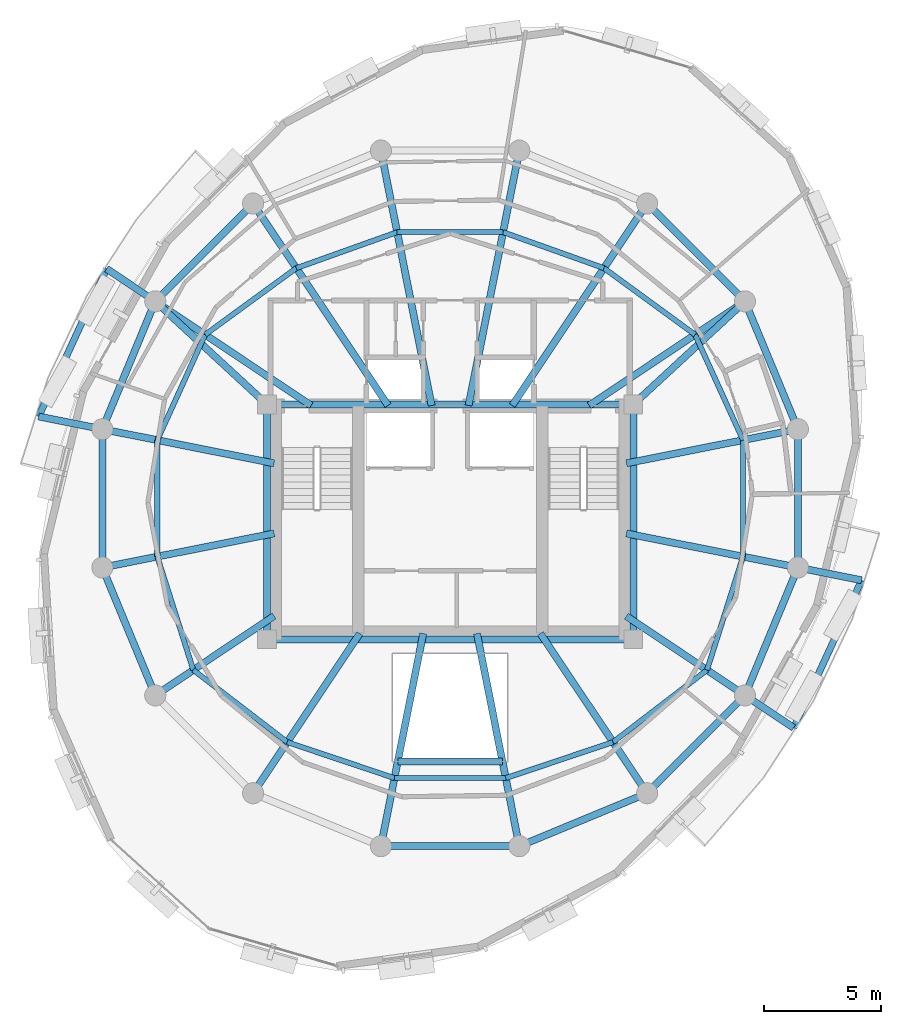
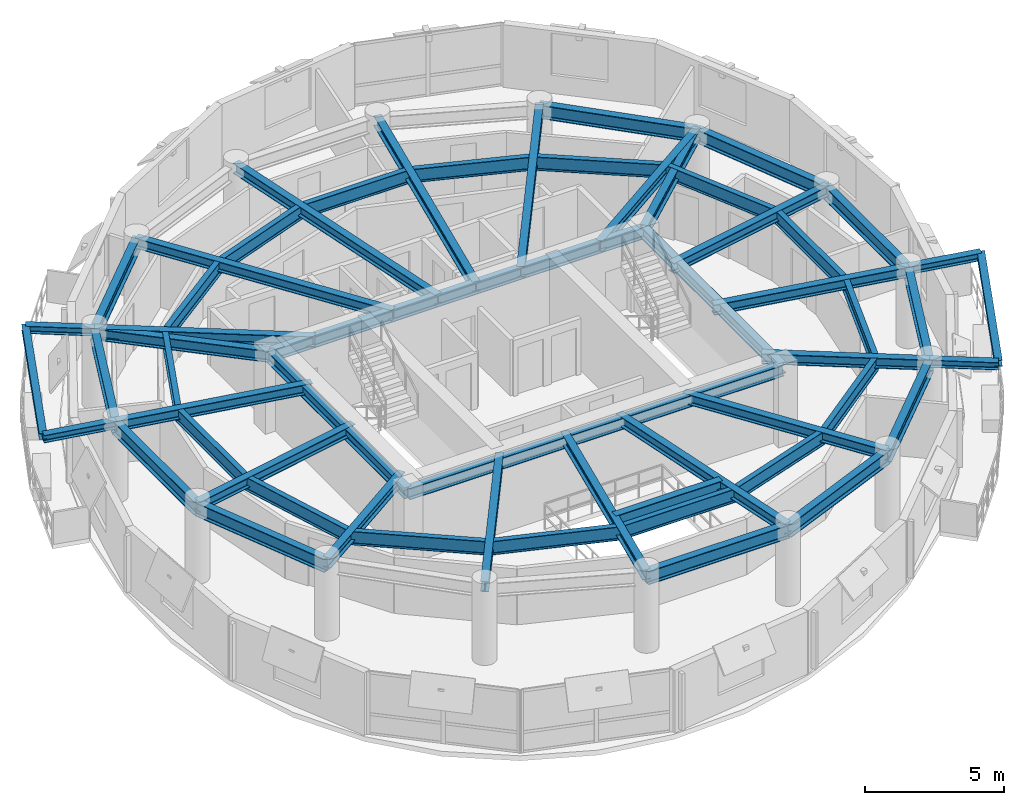
# One storey, part 3 of 11: 56 beams.
"""IFC4 building model written with IfcOpenShell, lengths in metres."""

from ifc_helpers import new_model, si_unit, direction, frame, origin, origin_2d, place, context, subcontext, project, spatial, i_section, extrude, material, material_profile, profile_set, type_object, element, save


model = new_model("IFC4")

# Units and contexts
model_context = context("Model", 3, precision=1e-05, world=origin(), true_north=direction((0.0, 1.0)))
body_context = subcontext(model_context, "Body", "Model", "MODEL_VIEW")
ifc_project = project(units=[si_unit("LENGTHUNIT", "METRE"), si_unit("AREAUNIT", "SQUARE_METRE"), si_unit("VOLUMEUNIT", "CUBIC_METRE"), si_unit("PLANEANGLEUNIT", "RADIAN"), si_unit("MASSUNIT", "GRAM", prefix="KILO"), si_unit("THERMODYNAMICTEMPERATUREUNIT", "KELVIN"), si_unit("POWERUNIT", "WATT")], contexts=[model_context])

# Site, building, storey
site_placement = place(None, origin())
site = spatial("IfcSite", under=ifc_project, at=site_placement, CompositionType="ELEMENT")
building_placement = place(site_placement, origin())
building = spatial("IfcBuilding", under=site, at=building_placement, Name="Ocrelia Relay Tower", CompositionType="ELEMENT")
storey_placement = place(building_placement, frame((0.0, 0.0, 280.800048828125)))
storey = spatial("IfcBuildingStorey", under=building, at=storey_placement, Name="L70", CompositionType="ELEMENT", Elevation=280.800048828125)

# Beams
ifc_material = material(Name="Steel S355", Category="steel")
ifc_material_profile_1 = material_profile(ifc_material, i_section(OverallWidth=0.280029296875, OverallDepth=0.27001953125, WebThickness=0.008056640625, FlangeThickness=0.012939453125, FilletRadius=0.02392578125, at=origin_2d()), Name="HEA 280")
ifc_profile_set_1 = profile_set([ifc_material_profile_1], Name="Steel S355")
beam_type_1 = type_object("IfcBeamType", Name="BM-HEA280", PredefinedType="BEAM", material=ifc_profile_set_1)
for number, where, z_axis, x_axis, name in (
    (1, (19.3740234375, 35.772705078125, 3.244873046875), (-0.418143143553, -0.908381148803, 0.0), (0.908381148803, -0.418143143553, 0.0), "L71 Balcony Edge Trimmer Beam B1"),
    (2, (48.6259765625, 16.227294921875, 3.244873046875), (0.418143143553, 0.908381148803, 0.0), (-0.908381148803, 0.418143143553, 0.0), "L71 Balcony Edge Trimmer Beam B2"),
):
    element("IfcBeam", number, at=place(storey_placement, frame(where, z_axis=z_axis, x_axis=x_axis)), inside=storey, type_object=beam_type_1, Name=name, PredefinedType="BEAM", context=body_context, shape_type="SweptSolid", body=[
        extrude(i_section(OverallWidth=0.280029296875, OverallDepth=0.27001953125, WebThickness=0.008056640625, FlangeThickness=0.012939453125, FilletRadius=0.02392578125, at=origin_2d()), origin(), (0.0, 0.0, 1.0), 6.921875),
    ])
ifc_material_profile_2 = material_profile(ifc_material, i_section(OverallWidth=0.300048828125, OverallDepth=0.330078125, WebThickness=0.009521484375, FlangeThickness=0.0166015625, FilletRadius=0.027099609375, at=origin_2d()), Name="HEA 340")
ifc_profile_set_2 = profile_set([ifc_material_profile_2], Name="Steel S355")
beam_type_2 = type_object("IfcBeamType", Name="BM-HEA340", PredefinedType="BEAM", material=ifc_profile_set_2)
beam_1_placement = place(storey_placement, frame((21.44482421875, 34.38916015625, 3.21484375), z_axis=(-0.831491855462, 0.555536942337, 0.0), x_axis=(-0.555536942337, -0.831491855462, 0.0)))
element("IfcBeam", 3, at=beam_1_placement, inside=storey, type_object=beam_type_2, Name="L71 Balcony Cantilever Beam B1-1", PredefinedType="BEAM", context=body_context, shape_type="SweptSolid", body=[
    extrude(i_section(OverallWidth=0.300048828125, OverallDepth=0.330078125, WebThickness=0.009521484375, FlangeThickness=0.0166015625, FilletRadius=0.027099609375, at=origin_2d()), origin(), (0.0, 0.0, 1.0), 2.490478515625),
])
beam_2_placement = place(storey_placement, frame((19.190185546875, 28.94580078125, 3.21484375), z_axis=(-0.980773870581, 0.195147674303, 0.0), x_axis=(-0.195147674303, -0.980773870581, 0.0)))
element("IfcBeam", 4, at=beam_2_placement, inside=storey, type_object=beam_type_2, Name="L71 Balcony Cantilever Beam B1-2", PredefinedType="BEAM", context=body_context, shape_type="SweptSolid", body=[
    extrude(i_section(OverallWidth=0.300048828125, OverallDepth=0.330078125, WebThickness=0.009521484375, FlangeThickness=0.0166015625, FilletRadius=0.027099609375, at=origin_2d()), origin(), (0.0, 0.0, 1.0), 2.763671875),
])
beam_3_placement = place(storey_placement, frame((46.55517578125, 17.61083984375, 3.21484375), z_axis=(0.831491855462, -0.555536942337, 0.0), x_axis=(0.555536942337, 0.831491855462, 0.0)))
element("IfcBeam", 5, at=beam_3_placement, inside=storey, type_object=beam_type_2, Name="L71 Balcony Cantilever Beam B2-1", PredefinedType="BEAM", context=body_context, shape_type="SweptSolid", body=[
    extrude(i_section(OverallWidth=0.300048828125, OverallDepth=0.330078125, WebThickness=0.009521484375, FlangeThickness=0.0166015625, FilletRadius=0.027099609375, at=origin_2d()), origin(), (0.0, 0.0, 1.0), 2.490478515625),
])
beam_4_placement = place(storey_placement, frame((48.809814453125, 23.05419921875, 3.21484375), z_axis=(0.980773870581, -0.195147674303, 0.0), x_axis=(0.195147674303, 0.980773870581, 0.0)))
element("IfcBeam", 6, at=beam_4_placement, inside=storey, type_object=beam_type_2, Name="L71 Balcony Cantilever Beam B2-2", PredefinedType="BEAM", context=body_context, shape_type="SweptSolid", body=[
    extrude(i_section(OverallWidth=0.300048828125, OverallDepth=0.330078125, WebThickness=0.009521484375, FlangeThickness=0.0166015625, FilletRadius=0.027099609375, at=origin_2d()), origin(), (0.0, 0.0, 1.0), 2.763671875),
])
ifc_material_profile_3 = material_profile(ifc_material, i_section(OverallWidth=0.300048828125, OverallDepth=0.449951171875, WebThickness=0.013916015625, FlangeThickness=0.02587890625, FilletRadius=0.027099609375, at=origin_2d()), Name="HEB 450")
ifc_profile_set_3 = profile_set([ifc_material_profile_3], Name="Steel S355")
beam_type_3 = type_object("IfcBeamType", Name="BM-HEB450", PredefinedType="BEAM", material=ifc_profile_set_3)
beam_5_placement = place(storey_placement, frame((48.809814453125, 28.94580078125, 3.155029296875), z_axis=(-0.980789400571, -0.195069607393, 0.0), x_axis=(0.195069607393, -0.980789400571, 0.0)))
element("IfcBeam", 7, at=beam_5_placement, inside=storey, type_object=beam_type_3, Name="L70 Radial Floor Girder R01", PredefinedType="BEAM", context=body_context, shape_type="SweptSolid", body=[
    extrude(i_section(OverallWidth=0.300048828125, OverallDepth=0.449951171875, WebThickness=0.013916015625, FlangeThickness=0.02587890625, FilletRadius=0.027099609375, at=origin_2d()), origin(), (0.0, 0.0, 1.0), 7.447998046875),
])
beam_6_placement = place(storey_placement, frame((46.55517578125, 34.38916015625, 3.155029296875), z_axis=(-0.83146627118, -0.555575233331, 0.0), x_axis=(0.555575233331, -0.83146627118, 0.0)))
element("IfcBeam", 8, at=beam_6_placement, inside=storey, type_object=beam_type_3, Name="L70 Radial Floor Girder R02", PredefinedType="BEAM", context=body_context, shape_type="SweptSolid", body=[
    extrude(i_section(OverallWidth=0.300048828125, OverallDepth=0.449951171875, WebThickness=0.013916015625, FlangeThickness=0.02587890625, FilletRadius=0.027099609375, at=origin_2d()), origin(), (0.0, 0.0, 1.0), 7.98095703125),
])
beam_7_placement = place(storey_placement, frame((42.38916015625, 38.55517578125, 3.155029296875), z_axis=(-0.555582296999, -0.831461551283, 0.0), x_axis=(0.831461551283, -0.555582296999, 0.0)))
element("IfcBeam", 9, at=beam_7_placement, inside=storey, type_object=beam_type_3, Name="L70 Radial Floor Girder R03", PredefinedType="BEAM", context=body_context, shape_type="SweptSolid", body=[
    extrude(i_section(OverallWidth=0.300048828125, OverallDepth=0.449951171875, WebThickness=0.013916015625, FlangeThickness=0.02587890625, FilletRadius=0.027099609375, at=origin_2d()), origin(), (0.0, 0.0, 1.0), 10.34326171875),
])
for number, where, z_axis, x_axis, name in (
    (10, (36.94580078125, 40.809814453125, 3.155029296875), (-0.195093658495, -0.98078461673, 0.0), (0.98078461673, -0.195093658495, 0.0), "L70 Radial Floor Girder R04"),
    (11, (31.05419921875, 40.809814453125, 3.155029296875), (0.195093658495, -0.98078461673, 0.0), (0.98078461673, 0.195093658495, 0.0), "L70 Radial Floor Girder R05"),
):
    element("IfcBeam", number, at=place(storey_placement, frame(where, z_axis=z_axis, x_axis=x_axis)), inside=storey, type_object=beam_type_3, Name=name, PredefinedType="BEAM", context=body_context, shape_type="SweptSolid", body=[
        extrude(i_section(OverallWidth=0.300048828125, OverallDepth=0.449951171875, WebThickness=0.013916015625, FlangeThickness=0.02587890625, FilletRadius=0.027099609375, at=origin_2d()), origin(), (0.0, 0.0, 1.0), 11.0673828125),
    ])
beam_8_placement = place(storey_placement, frame((25.61083984375, 38.55517578125, 3.155029296875), z_axis=(0.555582296999, -0.831461551283, 0.0), x_axis=(0.831461551283, 0.555582296999, 0.0)))
element("IfcBeam", 12, at=beam_8_placement, inside=storey, type_object=beam_type_3, Name="L70 Radial Floor Girder R06", PredefinedType="BEAM", context=body_context, shape_type="SweptSolid", body=[
    extrude(i_section(OverallWidth=0.300048828125, OverallDepth=0.449951171875, WebThickness=0.013916015625, FlangeThickness=0.02587890625, FilletRadius=0.027099609375, at=origin_2d()), origin(), (0.0, 0.0, 1.0), 10.34326171875),
])
beam_9_placement = place(storey_placement, frame((21.44482421875, 34.38916015625, 3.155029296875), z_axis=(0.83146627118, -0.555575233331, 0.0), x_axis=(0.555575233331, 0.83146627118, 0.0)))
element("IfcBeam", 13, at=beam_9_placement, inside=storey, type_object=beam_type_3, Name="L70 Radial Floor Girder R07", PredefinedType="BEAM", context=body_context, shape_type="SweptSolid", body=[
    extrude(i_section(OverallWidth=0.300048828125, OverallDepth=0.449951171875, WebThickness=0.013916015625, FlangeThickness=0.02587890625, FilletRadius=0.027099609375, at=origin_2d()), origin(), (0.0, 0.0, 1.0), 7.98095703125),
])
for number, where, z_axis, x_axis, name in (
    (14, (19.190185546875, 28.94580078125, 3.155029296875), (0.980789122594, -0.195071005024, 0.0), (0.195071005024, 0.980789122594, 0.0), "L70 Radial Floor Girder R08"),
    (15, (19.190185546875, 23.05419921875, 3.155029296875), (0.980789122594, 0.195071005024, 0.0), (-0.195071005024, 0.980789122594, 0.0), "L70 Radial Floor Girder R09"),
):
    element("IfcBeam", number, at=place(storey_placement, frame(where, z_axis=z_axis, x_axis=x_axis)), inside=storey, type_object=beam_type_3, Name=name, PredefinedType="BEAM", context=body_context, shape_type="SweptSolid", body=[
        extrude(i_section(OverallWidth=0.300048828125, OverallDepth=0.449951171875, WebThickness=0.013916015625, FlangeThickness=0.02587890625, FilletRadius=0.027099609375, at=origin_2d()), origin(), (0.0, 0.0, 1.0), 7.4580078125),
    ])
beam_10_placement = place(storey_placement, frame((21.44482421875, 17.61083984375, 3.155029296875), z_axis=(0.831463505153, 0.555579372906, 0.0), x_axis=(-0.555579372906, 0.831463505153, 0.0)))
element("IfcBeam", 16, at=beam_10_placement, inside=storey, type_object=beam_type_3, Name="L70 Radial Floor Girder R10", PredefinedType="BEAM", context=body_context, shape_type="SweptSolid", body=[
    extrude(i_section(OverallWidth=0.300048828125, OverallDepth=0.449951171875, WebThickness=0.013916015625, FlangeThickness=0.02587890625, FilletRadius=0.027099609375, at=origin_2d()), origin(), (0.0, 0.0, 1.0), 6.085693359375),
])
beam_11_placement = place(storey_placement, frame((25.61083984375, 13.44482421875, 3.155029296875), z_axis=(0.555560991962, 0.831475786906, 0.0), x_axis=(-0.831475786906, 0.555560991962, 0.0)))
element("IfcBeam", 17, at=beam_11_placement, inside=storey, type_object=beam_type_3, Name="L70 Radial Floor Girder R11", PredefinedType="BEAM", context=body_context, shape_type="SweptSolid", body=[
    extrude(i_section(OverallWidth=0.300048828125, OverallDepth=0.449951171875, WebThickness=0.013916015625, FlangeThickness=0.02587890625, FilletRadius=0.027099609375, at=origin_2d()), origin(), (0.0, 0.0, 1.0), 8.178466796875),
])
for number, where, z_axis, x_axis, name in (
    (18, (31.05419921875, 11.190185546875, 3.155029296875), (0.195078600472, 0.98078761189, 0.0), (-0.98078761189, 0.195078600472, 0.0), "L70 Radial Floor Girder R12"),
    (19, (36.94580078125, 11.190185546875, 3.155029296875), (-0.195078600472, 0.98078761189, 0.0), (-0.98078761189, -0.195078600472, 0.0), "L70 Radial Floor Girder R13"),
):
    element("IfcBeam", number, at=place(storey_placement, frame(where, z_axis=z_axis, x_axis=x_axis)), inside=storey, type_object=beam_type_3, Name=name, PredefinedType="BEAM", context=body_context, shape_type="SweptSolid", body=[
        extrude(i_section(OverallWidth=0.300048828125, OverallDepth=0.449951171875, WebThickness=0.013916015625, FlangeThickness=0.02587890625, FilletRadius=0.027099609375, at=origin_2d()), origin(), (0.0, 0.0, 1.0), 9.232421875),
    ])
beam_12_placement = place(storey_placement, frame((42.38916015625, 13.44482421875, 3.155029296875), z_axis=(-0.555560991962, 0.831475786906, 0.0), x_axis=(-0.831475786906, -0.555560991962, 0.0)))
element("IfcBeam", 20, at=beam_12_placement, inside=storey, type_object=beam_type_3, Name="L70 Radial Floor Girder R14", PredefinedType="BEAM", context=body_context, shape_type="SweptSolid", body=[
    extrude(i_section(OverallWidth=0.300048828125, OverallDepth=0.449951171875, WebThickness=0.013916015625, FlangeThickness=0.02587890625, FilletRadius=0.027099609375, at=origin_2d()), origin(), (0.0, 0.0, 1.0), 8.178466796875),
])
beam_13_placement = place(storey_placement, frame((46.55517578125, 17.61083984375, 3.155029296875), z_axis=(-0.831468559595, 0.555571808504, 0.0), x_axis=(-0.555571808504, -0.831468559595, 0.0)))
element("IfcBeam", 21, at=beam_13_placement, inside=storey, type_object=beam_type_3, Name="L70 Radial Floor Girder R15", PredefinedType="BEAM", context=body_context, shape_type="SweptSolid", body=[
    extrude(i_section(OverallWidth=0.300048828125, OverallDepth=0.449951171875, WebThickness=0.013916015625, FlangeThickness=0.02587890625, FilletRadius=0.027099609375, at=origin_2d()), origin(), (0.0, 0.0, 1.0), 6.073974609375),
])
beam_14_placement = place(storey_placement, frame((48.809814453125, 23.05419921875, 3.155029296875), z_axis=(-0.980789400571, 0.195069607393, 0.0), x_axis=(-0.195069607393, -0.980789400571, 0.0)))
element("IfcBeam", 22, at=beam_14_placement, inside=storey, type_object=beam_type_3, Name="L70 Radial Floor Girder R16", PredefinedType="BEAM", context=body_context, shape_type="SweptSolid", body=[
    extrude(i_section(OverallWidth=0.300048828125, OverallDepth=0.449951171875, WebThickness=0.013916015625, FlangeThickness=0.02587890625, FilletRadius=0.027099609375, at=origin_2d()), origin(), (0.0, 0.0, 1.0), 7.447998046875),
])
ifc_material_profile_4 = material_profile(ifc_material, i_section(OverallWidth=0.300048828125, OverallDepth=0.5, WebThickness=0.014404296875, FlangeThickness=0.028076171875, FilletRadius=0.027099609375, at=origin_2d()), Name="HEB 500")
ifc_profile_set_4 = profile_set([ifc_material_profile_4], Name="Steel S355")
beam_type_4 = type_object("IfcBeamType", Name="BM-HEB500", PredefinedType="BEAM", material=ifc_profile_set_4)
for number, where, z_axis, x_axis, name in (
    (23, (26.199951171875, 20.0, 3.1298828125), (1.0, 0.0, 0.0), (0.0, 1.0, 0.0), "L70 Core Pilaster Tie Beam S"),
    (24, (26.199951171875, 30.0, 3.1298828125), (1.0, 0.0, 0.0), (0.0, 1.0, 0.0), "L70 Core Pilaster Tie Beam N"),
):
    element("IfcBeam", number, at=place(storey_placement, frame(where, z_axis=z_axis, x_axis=x_axis)), inside=storey, type_object=beam_type_4, Name=name, PredefinedType="BEAM", context=body_context, shape_type="SweptSolid", body=[
        extrude(i_section(OverallWidth=0.300048828125, OverallDepth=0.5, WebThickness=0.014404296875, FlangeThickness=0.028076171875, FilletRadius=0.027099609375, at=origin_2d()), origin(), (0.0, 0.0, 1.0), 15.60009765625),
    ])
for number, where, z_axis, x_axis, name in (
    (25, (26.199951171875, 20.0, 3.1298828125), (0.0, 1.0, 0.0), (-1.0, 0.0, 0.0), "L70 Core Pilaster Tie Beam W"),
    (26, (41.800048828125, 20.0, 3.1298828125), (0.0, 1.0, 0.0), (-1.0, 0.0, 0.0), "L70 Core Pilaster Tie Beam E"),
):
    element("IfcBeam", number, at=place(storey_placement, frame(where, z_axis=z_axis, x_axis=x_axis)), inside=storey, type_object=beam_type_4, Name=name, PredefinedType="BEAM", context=body_context, shape_type="SweptSolid", body=[
        extrude(i_section(OverallWidth=0.300048828125, OverallDepth=0.5, WebThickness=0.014404296875, FlangeThickness=0.028076171875, FilletRadius=0.027099609375, at=origin_2d()), origin(), (0.0, 0.0, 1.0), 10.0),
    ])
for number, where, z_axis, x_axis, name in (
    (27, (46.55517578125, 34.38916015625, 3.1298828125), (-0.734817908666, -0.678264433023, 0.0), (0.678264433023, -0.734817908666, 0.0), "L70 Core Pilaster Frame Tie Beam PT02"),
    (28, (21.44482421875, 34.38916015625, 3.1298828125), (0.734817908666, -0.678264433023, 0.0), (0.678264433023, 0.734817908666, 0.0), "L70 Core Pilaster Frame Tie Beam PT07"),
):
    element("IfcBeam", number, at=place(storey_placement, frame(where, z_axis=z_axis, x_axis=x_axis)), inside=storey, type_object=beam_type_4, Name=name, PredefinedType="BEAM", context=body_context, shape_type="SweptSolid", body=[
        extrude(i_section(OverallWidth=0.300048828125, OverallDepth=0.5, WebThickness=0.014404296875, FlangeThickness=0.028076171875, FilletRadius=0.027099609375, at=origin_2d()), origin(), (0.0, 0.0, 1.0), 6.47119140625),
    ])
ifc_material_profile_5 = material_profile(ifc_material, i_section(OverallWidth=0.300048828125, OverallDepth=0.550048828125, WebThickness=0.014892578125, FlangeThickness=0.029052734375, FilletRadius=0.027099609375, at=origin_2d()), Name="HEB 550")
ifc_profile_set_5 = profile_set([ifc_material_profile_5], Name="Steel S355")
beam_type_5 = type_object("IfcBeamType", Name="BM-HEB550", PredefinedType="BEAM", material=ifc_profile_set_5)
beam_15_placement = place(storey_placement, frame((31.772216796875, 14.800048828125, 3.10498046875), z_axis=(1.0, 0.0, 0.0), x_axis=(0.0, 1.0, 0.0)))
element("IfcBeam", 29, at=beam_15_placement, inside=storey, type_object=beam_type_5, Name="L70 Atrium South Trimmer Beam", PredefinedType="BEAM", context=body_context, shape_type="SweptSolid", body=[
    extrude(i_section(OverallWidth=0.300048828125, OverallDepth=0.550048828125, WebThickness=0.014892578125, FlangeThickness=0.029052734375, FilletRadius=0.027099609375, at=origin_2d()), origin(), (0.0, 0.0, 1.0), 4.45556640625),
])
ifc_material_profile_6 = material_profile(ifc_material, i_section(OverallWidth=0.300048828125, OverallDepth=0.60009765625, WebThickness=0.015380859375, FlangeThickness=0.030029296875, FilletRadius=0.027099609375, at=origin_2d()), Name="HEB 600")
ifc_profile_set_6 = profile_set([ifc_material_profile_6], Name="Steel S355")
beam_type_6 = type_object("IfcBeamType", Name="BM-HEB600", PredefinedType="BEAM", material=ifc_profile_set_6)
beam_16_placement = place(storey_placement, frame((48.809814453125, 28.94580078125, 3.079833984375), z_axis=(-0.382672624084, 0.923884009374, 0.0), x_axis=(-0.923884009374, -0.382672624084, 0.0)))
element("IfcBeam", 30, at=beam_16_placement, inside=storey, type_object=beam_type_6, Name="L70 Perimeter Spandrel Beam S01", PredefinedType="BEAM", context=body_context, shape_type="SweptSolid", body=[
    extrude(i_section(OverallWidth=0.300048828125, OverallDepth=0.60009765625, WebThickness=0.015380859375, FlangeThickness=0.030029296875, FilletRadius=0.027099609375, at=origin_2d()), origin(), (0.0, 0.0, 1.0), 5.891845703125),
])
for number, where, z_axis, x_axis, name in (
    (31, (46.55517578125, 34.38916015625, 3.079833984375), (-0.707106781187, 0.707106781187, 0.0), (-0.707106781187, -0.707106781187, 0.0), "L70 Perimeter Spandrel Beam S02"),
    (32, (25.61083984375, 38.55517578125, 3.079833984375), (-0.707106781187, -0.707106781187, 0.0), (0.707106781187, -0.707106781187, 0.0), "L70 Perimeter Spandrel Beam S06"),
):
    element("IfcBeam", number, at=place(storey_placement, frame(where, z_axis=z_axis, x_axis=x_axis)), inside=storey, type_object=beam_type_6, Name=name, PredefinedType="BEAM", context=body_context, shape_type="SweptSolid", body=[
        extrude(i_section(OverallWidth=0.300048828125, OverallDepth=0.60009765625, WebThickness=0.015380859375, FlangeThickness=0.030029296875, FilletRadius=0.027099609375, at=origin_2d()), origin(), (0.0, 0.0, 1.0), 5.8916015625),
    ])
beam_17_placement = place(storey_placement, frame((21.44482421875, 34.38916015625, 3.079833984375), z_axis=(-0.382672624084, -0.923884009374, 0.0), x_axis=(0.923884009374, -0.382672624084, 0.0)))
element("IfcBeam", 33, at=beam_17_placement, inside=storey, type_object=beam_type_6, Name="L70 Perimeter Spandrel Beam S07", PredefinedType="BEAM", context=body_context, shape_type="SweptSolid", body=[
    extrude(i_section(OverallWidth=0.300048828125, OverallDepth=0.60009765625, WebThickness=0.015380859375, FlangeThickness=0.030029296875, FilletRadius=0.027099609375, at=origin_2d()), origin(), (0.0, 0.0, 1.0), 5.891845703125),
])
beam_18_placement = place(storey_placement, frame((19.190185546875, 28.94580078125, 3.079833984375), z_axis=(0.0, -1.0, 0.0), x_axis=(1.0, 0.0, 0.0)))
element("IfcBeam", 34, at=beam_18_placement, inside=storey, type_object=beam_type_6, Name="L70 Perimeter Spandrel Beam S08", PredefinedType="BEAM", context=body_context, shape_type="SweptSolid", body=[
    extrude(i_section(OverallWidth=0.300048828125, OverallDepth=0.60009765625, WebThickness=0.015380859375, FlangeThickness=0.030029296875, FilletRadius=0.027099609375, at=origin_2d()), origin(), (0.0, 0.0, 1.0), 5.8916015625),
])
beam_19_placement = place(storey_placement, frame((19.190185546875, 23.05419921875, 3.079833984375), z_axis=(0.382672624084, -0.923884009374, 0.0), x_axis=(0.923884009374, 0.382672624084, 0.0)))
element("IfcBeam", 35, at=beam_19_placement, inside=storey, type_object=beam_type_6, Name="L70 Perimeter Spandrel Beam S09", PredefinedType="BEAM", context=body_context, shape_type="SweptSolid", body=[
    extrude(i_section(OverallWidth=0.300048828125, OverallDepth=0.60009765625, WebThickness=0.015380859375, FlangeThickness=0.030029296875, FilletRadius=0.027099609375, at=origin_2d()), origin(), (0.0, 0.0, 1.0), 5.891845703125),
])
beam_20_placement = place(storey_placement, frame((31.05419921875, 11.190185546875, 3.079833984375), z_axis=(1.0, 0.0, 0.0), x_axis=(0.0, 1.0, 0.0)))
element("IfcBeam", 36, at=beam_20_placement, inside=storey, type_object=beam_type_6, Name="L70 Perimeter Spandrel Beam S12", PredefinedType="BEAM", context=body_context, shape_type="SweptSolid", body=[
    extrude(i_section(OverallWidth=0.300048828125, OverallDepth=0.60009765625, WebThickness=0.015380859375, FlangeThickness=0.030029296875, FilletRadius=0.027099609375, at=origin_2d()), origin(), (0.0, 0.0, 1.0), 5.8916015625),
])
beam_21_placement = place(storey_placement, frame((36.94580078125, 11.190185546875, 3.079833984375), z_axis=(0.923884009374, 0.382672624084, 0.0), x_axis=(-0.382672624084, 0.923884009374, 0.0)))
element("IfcBeam", 37, at=beam_21_placement, inside=storey, type_object=beam_type_6, Name="L70 Perimeter Spandrel Beam S13", PredefinedType="BEAM", context=body_context, shape_type="SweptSolid", body=[
    extrude(i_section(OverallWidth=0.300048828125, OverallDepth=0.60009765625, WebThickness=0.015380859375, FlangeThickness=0.030029296875, FilletRadius=0.027099609375, at=origin_2d()), origin(), (0.0, 0.0, 1.0), 5.891845703125),
])
beam_22_placement = place(storey_placement, frame((42.38916015625, 13.44482421875, 3.079833984375), z_axis=(0.707106781187, 0.707106781187, 0.0), x_axis=(-0.707106781187, 0.707106781187, 0.0)))
element("IfcBeam", 38, at=beam_22_placement, inside=storey, type_object=beam_type_6, Name="L70 Perimeter Spandrel Beam S14", PredefinedType="BEAM", context=body_context, shape_type="SweptSolid", body=[
    extrude(i_section(OverallWidth=0.300048828125, OverallDepth=0.60009765625, WebThickness=0.015380859375, FlangeThickness=0.030029296875, FilletRadius=0.027099609375, at=origin_2d()), origin(), (0.0, 0.0, 1.0), 5.8916015625),
])
beam_23_placement = place(storey_placement, frame((46.55517578125, 17.61083984375, 3.079833984375), z_axis=(0.382672624084, 0.923884009374, 0.0), x_axis=(-0.923884009374, 0.382672624084, 0.0)))
element("IfcBeam", 39, at=beam_23_placement, inside=storey, type_object=beam_type_6, Name="L70 Perimeter Spandrel Beam S15", PredefinedType="BEAM", context=body_context, shape_type="SweptSolid", body=[
    extrude(i_section(OverallWidth=0.300048828125, OverallDepth=0.60009765625, WebThickness=0.015380859375, FlangeThickness=0.030029296875, FilletRadius=0.027099609375, at=origin_2d()), origin(), (0.0, 0.0, 1.0), 5.891845703125),
])
beam_24_placement = place(storey_placement, frame((48.809814453125, 23.05419921875, 3.079833984375), z_axis=(0.0, 1.0, 0.0), x_axis=(-1.0, 0.0, 0.0)))
element("IfcBeam", 40, at=beam_24_placement, inside=storey, type_object=beam_type_6, Name="L70 Perimeter Spandrel Beam S16", PredefinedType="BEAM", context=body_context, shape_type="SweptSolid", body=[
    extrude(i_section(OverallWidth=0.300048828125, OverallDepth=0.60009765625, WebThickness=0.015380859375, FlangeThickness=0.030029296875, FilletRadius=0.027099609375, at=origin_2d()), origin(), (0.0, 0.0, 1.0), 5.8916015625),
])
ifc_material_profile_7 = material_profile(ifc_material, i_section(OverallWidth=0.219970703125, OverallDepth=0.60009765625, WebThickness=0.011962890625, FlangeThickness=0.01904296875, FilletRadius=0.02392578125, at=origin_2d()), Name="IPE 600")
ifc_profile_set_7 = profile_set([ifc_material_profile_7], Name="Steel S355")
beam_type_7 = type_object("IfcBeamType", Name="BM-IPE600", PredefinedType="JOIST", material=ifc_profile_set_7)
beam_25_placement = place(storey_placement, frame((46.472412109375, 28.48095703125, 3.079833984375), z_axis=(-0.413836514443, 0.91035121756, 0.0), x_axis=(-0.91035121756, -0.413836514443, 0.0)))
element("IfcBeam", 41, at=beam_25_placement, inside=storey, type_object=beam_type_7, Name="L70 Secondary Floor Joist J01", PredefinedType="JOIST", context=body_context, shape_type="SweptSolid", body=[
    extrude(i_section(OverallWidth=0.219970703125, OverallDepth=0.60009765625, WebThickness=0.011962890625, FlangeThickness=0.01904296875, FilletRadius=0.02392578125, at=origin_2d()), origin(), (0.0, 0.0, 1.0), 4.931396484375),
])
beam_26_placement = place(storey_placement, frame((44.431640625, 32.97021484375, 3.079833984375), z_axis=(-0.80774844416, 0.58952731146, 0.0), x_axis=(-0.58952731146, -0.80774844416, 0.0)))
element("IfcBeam", 42, at=beam_26_placement, inside=storey, type_object=beam_type_7, Name="L70 Secondary Floor Joist J02", PredefinedType="JOIST", context=body_context, shape_type="SweptSolid", body=[
    extrude(i_section(OverallWidth=0.219970703125, OverallDepth=0.60009765625, WebThickness=0.011962890625, FlangeThickness=0.01904296875, FilletRadius=0.02392578125, at=origin_2d()), origin(), (0.0, 0.0, 1.0), 4.80517578125),
])
beam_27_placement = place(storey_placement, frame((40.55029296875, 35.802978515625, 3.079833984375), z_axis=(-0.94180245035, 0.336166840298, 0.0), x_axis=(-0.336166840298, -0.94180245035, 0.0)))
element("IfcBeam", 43, at=beam_27_placement, inside=storey, type_object=beam_type_7, Name="L70 Secondary Floor Joist J03", PredefinedType="JOIST", context=body_context, shape_type="SweptSolid", body=[
    extrude(i_section(OverallWidth=0.219970703125, OverallDepth=0.60009765625, WebThickness=0.011962890625, FlangeThickness=0.01904296875, FilletRadius=0.02392578125, at=origin_2d()), origin(), (0.0, 0.0, 1.0), 4.560791015625),
])
beam_28_placement = place(storey_placement, frame((36.2548828125, 37.336181640625, 3.079833984375), z_axis=(-1.0, 0.0, 0.0), x_axis=(0.0, -1.0, 0.0)))
element("IfcBeam", 44, at=beam_28_placement, inside=storey, type_object=beam_type_7, Name="L70 Secondary Floor Joist J04", PredefinedType="JOIST", context=body_context, shape_type="SweptSolid", body=[
    extrude(i_section(OverallWidth=0.219970703125, OverallDepth=0.60009765625, WebThickness=0.011962890625, FlangeThickness=0.01904296875, FilletRadius=0.02392578125, at=origin_2d()), origin(), (0.0, 0.0, 1.0), 4.509765625),
])
beam_29_placement = place(storey_placement, frame((31.7451171875, 37.336181640625, 3.079833984375), z_axis=(-0.94180245035, -0.336166840298, 0.0), x_axis=(0.336166840298, -0.94180245035, 0.0)))
element("IfcBeam", 45, at=beam_29_placement, inside=storey, type_object=beam_type_7, Name="L70 Secondary Floor Joist J05", PredefinedType="JOIST", context=body_context, shape_type="SweptSolid", body=[
    extrude(i_section(OverallWidth=0.219970703125, OverallDepth=0.60009765625, WebThickness=0.011962890625, FlangeThickness=0.01904296875, FilletRadius=0.02392578125, at=origin_2d()), origin(), (0.0, 0.0, 1.0), 4.560791015625),
])
beam_30_placement = place(storey_placement, frame((27.44970703125, 35.802978515625, 3.079833984375), z_axis=(-0.80774844416, -0.58952731146, 0.0), x_axis=(0.58952731146, -0.80774844416, 0.0)))
element("IfcBeam", 46, at=beam_30_placement, inside=storey, type_object=beam_type_7, Name="L70 Secondary Floor Joist J06", PredefinedType="JOIST", context=body_context, shape_type="SweptSolid", body=[
    extrude(i_section(OverallWidth=0.219970703125, OverallDepth=0.60009765625, WebThickness=0.011962890625, FlangeThickness=0.01904296875, FilletRadius=0.02392578125, at=origin_2d()), origin(), (0.0, 0.0, 1.0), 4.80517578125),
])
beam_31_placement = place(storey_placement, frame((23.568359375, 32.97021484375, 3.079833984375), z_axis=(-0.413205957462, -0.910637599003, 0.0), x_axis=(0.910637599003, -0.413205957462, 0.0)))
element("IfcBeam", 47, at=beam_31_placement, inside=storey, type_object=beam_type_7, Name="L70 Secondary Floor Joist J07", PredefinedType="JOIST", context=body_context, shape_type="SweptSolid", body=[
    extrude(i_section(OverallWidth=0.219970703125, OverallDepth=0.60009765625, WebThickness=0.011962890625, FlangeThickness=0.01904296875, FilletRadius=0.02392578125, at=origin_2d()), origin(), (0.0, 0.0, 1.0), 4.9306640625),
])
beam_32_placement = place(storey_placement, frame((21.531005859375, 28.480224609375, 3.079833984375), z_axis=(0.0, -1.0, 0.0), x_axis=(1.0, 0.0, 0.0)))
element("IfcBeam", 48, at=beam_32_placement, inside=storey, type_object=beam_type_7, Name="L70 Secondary Floor Joist J08", PredefinedType="JOIST", context=body_context, shape_type="SweptSolid", body=[
    extrude(i_section(OverallWidth=0.219970703125, OverallDepth=0.60009765625, WebThickness=0.011962890625, FlangeThickness=0.01904296875, FilletRadius=0.02392578125, at=origin_2d()), origin(), (0.0, 0.0, 1.0), 4.96044921875),
])
beam_33_placement = place(storey_placement, frame((21.531005859375, 23.519775390625, 3.079833984375), z_axis=(0.302732054046, -0.953075707094, 0.0), x_axis=(0.953075707094, 0.302732054046, 0.0)))
element("IfcBeam", 49, at=beam_33_placement, inside=storey, type_object=beam_type_7, Name="L70 Secondary Floor Joist J09", PredefinedType="JOIST", context=body_context, shape_type="SweptSolid", body=[
    extrude(i_section(OverallWidth=0.219970703125, OverallDepth=0.60009765625, WebThickness=0.011962890625, FlangeThickness=0.01904296875, FilletRadius=0.02392578125, at=origin_2d()), origin(), (0.0, 0.0, 1.0), 5.064453125),
])
beam_34_placement = place(storey_placement, frame((23.064208984375, 18.69287109375, 3.079833984375), z_axis=(0.793147291367, -0.60902986314, 0.0), x_axis=(0.60902986314, 0.793147291367, 0.0)))
element("IfcBeam", 50, at=beam_34_placement, inside=storey, type_object=beam_type_7, Name="L70 Secondary Floor Joist J10", PredefinedType="JOIST", context=body_context, shape_type="SweptSolid", body=[
    extrude(i_section(OverallWidth=0.219970703125, OverallDepth=0.60009765625, WebThickness=0.011962890625, FlangeThickness=0.01904296875, FilletRadius=0.02392578125, at=origin_2d()), origin(), (0.0, 0.0, 1.0), 5.044189453125),
])
beam_35_placement = place(storey_placement, frame((27.06494140625, 15.620849609375, 3.079833984375), z_axis=(0.947976335242, -0.318340804519, 0.0), x_axis=(0.318340804519, 0.947976335242, 0.0)))
element("IfcBeam", 51, at=beam_35_placement, inside=storey, type_object=beam_type_7, Name="L70 Secondary Floor Joist J11", PredefinedType="JOIST", context=body_context, shape_type="SweptSolid", body=[
    extrude(i_section(OverallWidth=0.219970703125, OverallDepth=0.60009765625, WebThickness=0.011962890625, FlangeThickness=0.01904296875, FilletRadius=0.02392578125, at=origin_2d()), origin(), (0.0, 0.0, 1.0), 4.816162109375),
])
beam_36_placement = place(storey_placement, frame((31.630615234375, 14.087646484375, 3.079833984375), z_axis=(1.0, 0.0, 0.0), x_axis=(0.0, 1.0, 0.0)))
element("IfcBeam", 52, at=beam_36_placement, inside=storey, type_object=beam_type_7, Name="L70 Secondary Floor Joist J12", PredefinedType="JOIST", context=body_context, shape_type="SweptSolid", body=[
    extrude(i_section(OverallWidth=0.219970703125, OverallDepth=0.60009765625, WebThickness=0.011962890625, FlangeThickness=0.01904296875, FilletRadius=0.02392578125, at=origin_2d()), origin(), (0.0, 0.0, 1.0), 4.73876953125),
])
beam_37_placement = place(storey_placement, frame((36.369384765625, 14.087646484375, 3.079833984375), z_axis=(0.947976335242, 0.318340804519, 0.0), x_axis=(-0.318340804519, 0.947976335242, 0.0)))
element("IfcBeam", 53, at=beam_37_placement, inside=storey, type_object=beam_type_7, Name="L70 Secondary Floor Joist J13", PredefinedType="JOIST", context=body_context, shape_type="SweptSolid", body=[
    extrude(i_section(OverallWidth=0.219970703125, OverallDepth=0.60009765625, WebThickness=0.011962890625, FlangeThickness=0.01904296875, FilletRadius=0.02392578125, at=origin_2d()), origin(), (0.0, 0.0, 1.0), 4.816162109375),
])
beam_38_placement = place(storey_placement, frame((40.93505859375, 15.620849609375, 3.079833984375), z_axis=(0.793608697717, 0.608428496134, 0.0), x_axis=(-0.608428496134, 0.793608697717, 0.0)))
element("IfcBeam", 54, at=beam_38_placement, inside=storey, type_object=beam_type_7, Name="L70 Secondary Floor Joist J14", PredefinedType="JOIST", context=body_context, shape_type="SweptSolid", body=[
    extrude(i_section(OverallWidth=0.219970703125, OverallDepth=0.60009765625, WebThickness=0.011962890625, FlangeThickness=0.01904296875, FilletRadius=0.02392578125, at=origin_2d()), origin(), (0.0, 0.0, 1.0), 5.04541015625),
])
beam_39_placement = place(storey_placement, frame((44.939208984375, 18.690673828125, 3.079833984375), z_axis=(0.302648624063, 0.953102203519, 0.0), x_axis=(-0.953102203519, 0.302648624063, 0.0)))
element("IfcBeam", 55, at=beam_39_placement, inside=storey, type_object=beam_type_7, Name="L70 Secondary Floor Joist J15", PredefinedType="JOIST", context=body_context, shape_type="SweptSolid", body=[
    extrude(i_section(OverallWidth=0.219970703125, OverallDepth=0.60009765625, WebThickness=0.011962890625, FlangeThickness=0.01904296875, FilletRadius=0.02392578125, at=origin_2d()), origin(), (0.0, 0.0, 1.0), 5.06591796875),
])
beam_40_placement = place(storey_placement, frame((46.472412109375, 23.51904296875, 3.079833984375), z_axis=(0.0, 1.0, 0.0), x_axis=(-1.0, 0.0, 0.0)))
element("IfcBeam", 56, at=beam_40_placement, inside=storey, type_object=beam_type_7, Name="L70 Secondary Floor Joist J16", PredefinedType="JOIST", context=body_context, shape_type="SweptSolid", body=[
    extrude(i_section(OverallWidth=0.219970703125, OverallDepth=0.60009765625, WebThickness=0.011962890625, FlangeThickness=0.01904296875, FilletRadius=0.02392578125, at=origin_2d()), origin(), (0.0, 0.0, 1.0), 4.9619140625),
])

save(model, "model.ifc")
